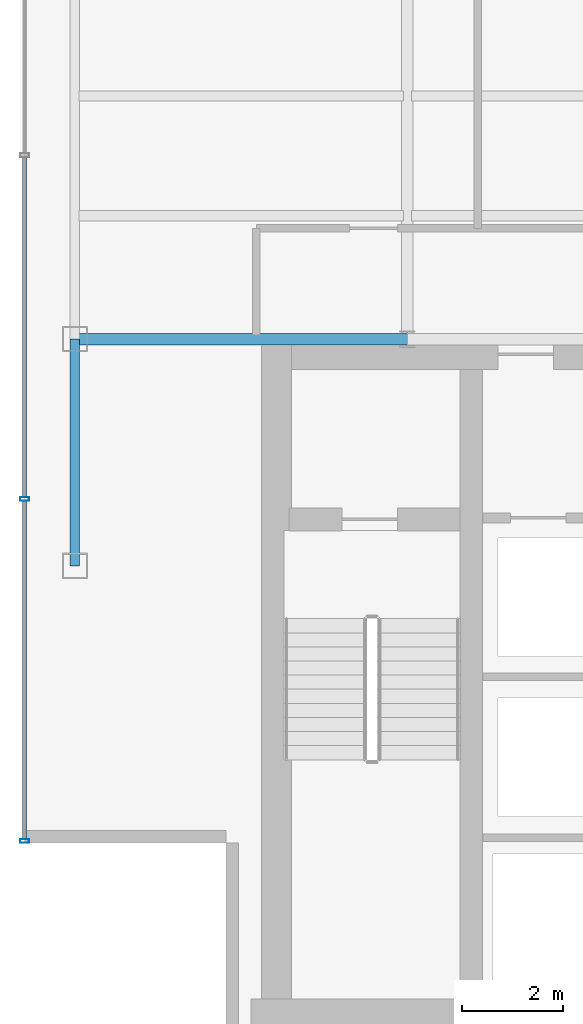
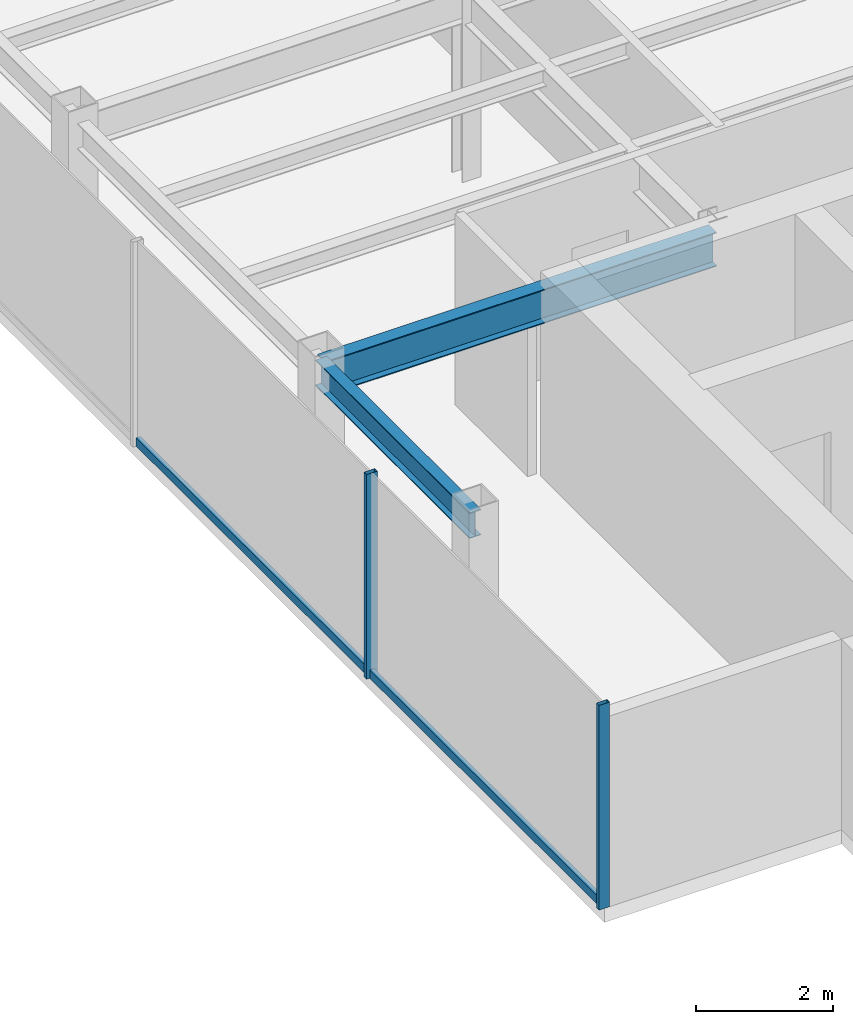
# One storey, part 3 of 22: 4 members, 2 beams, 1 element without a shape of its own.
"""IFC4 building model written with IfcOpenShell, lengths in metres."""

import ifcopenshell
import ifcopenshell.guid

model = None  # the IFC model being written
_history = None  # IfcOwnerHistory: only IFC2X3 demands one
_inside = {}  # id of a spatial element -> (the spatial element, [elements in it])
_under = {}  # id of a project, library or spatial element -> (it, [spatial elements below it])
_declared = {}  # id of a project -> (the project, [libraries it declares])
_typed = {}  # id of a type object -> (the type object, [elements of that type])
_made_of = {}  # id of a material, layer set ... -> (it, [elements and type objects made of it])


def new_model(schema):
    """Start an empty IFC model of exactly this schema.

    Asked for "IFC4X3", IfcOpenShell would pick the latest addendum, in which some entities
    have other attributes; the version numbers below select the first issue.
    IFC2X3 requires an IfcOwnerHistory on every rooted entity: one is made here for all.
    """
    global model, _history
    if schema == "IFC4X3":
        model = ifcopenshell.file(schema_version=(4, 3, 0, 0))
    else:
        model = ifcopenshell.file(schema=schema)
    _inside.clear()
    _under.clear()
    _declared.clear()
    _typed.clear()
    _made_of.clear()
    _history = None
    if model.schema == "IFC2X3":
        org = make("IfcOrganization", Name="unknown")
        user = make(
            "IfcPersonAndOrganization",
            ThePerson=make("IfcPerson", FamilyName="unknown"),
            TheOrganization=org,
        )
        app = make(
            "IfcApplication",
            ApplicationDeveloper=org,
            Version="unknown",
            ApplicationFullName="unknown",
            ApplicationIdentifier="unknown",
        )
        _history = make(
            "IfcOwnerHistory",
            OwningUser=user,
            OwningApplication=app,
            ChangeAction="ADDED",
            CreationDate=0,
        )
    return model


def make(cls, **values):
    """One entity of the class cls with the attributes given. An attribute that is None is left unset."""
    return model.create_entity(
        cls, **{name: value for name, value in values.items() if value is not None}
    )


def rooted(cls, **values):
    """An entity with a GlobalId (a new one), such as an element, a storey or a relation."""
    return make(cls, GlobalId=ifcopenshell.guid.new(), OwnerHistory=_history, **values)


def si_unit(unit_type, name, prefix=None):
    """IfcSIUnit, for example si_unit("LENGTHUNIT", "METRE", prefix="MILLI")."""
    return make("IfcSIUnit", UnitType=unit_type, Prefix=prefix, Name=name)


def derived_unit(unit_type, elements):
    """IfcDerivedUnit: a product of units, each with its exponent."""
    return make(
        "IfcDerivedUnit",
        Elements=[
            make("IfcDerivedUnitElement", Unit=unit, Exponent=power)
            for unit, power in elements
        ],
        UnitType=unit_type,
    )


def assignment(units):
    """IfcUnitAssignment: the units of a project."""
    return None if units is None else make("IfcUnitAssignment", Units=units)


def point(xyz):
    """IfcCartesianPoint."""
    return None if xyz is None else make("IfcCartesianPoint", Coordinates=xyz)


def direction(xyz):
    """IfcDirection."""
    return None if xyz is None else make("IfcDirection", DirectionRatios=xyz)


def frame(location, z_axis=None, x_axis=None):
    """IfcAxis2Placement3D, a coordinate frame: its origin and axes. An axis left out is left unset."""
    return make(
        "IfcAxis2Placement3D",
        Location=point(location),
        Axis=direction(z_axis),
        RefDirection=direction(x_axis),
    )


def frame_2d(location, x_axis=None):
    """IfcAxis2Placement2D, a coordinate frame in the plane: its origin and x axis."""
    return make(
        "IfcAxis2Placement2D", Location=point(location), RefDirection=direction(x_axis)
    )


def origin():
    """The frame at (0, 0, 0) with its axes left unset."""
    return frame((0.0, 0.0, 0.0))


def origin_2d():
    """The frame at (0, 0) in the plane with its x axis left unset."""
    return frame_2d((0.0, 0.0))


def place(relative_to, where):
    """IfcLocalPlacement: puts the frame where relative to a parent placement (None: the world)."""
    return make(
        "IfcLocalPlacement", PlacementRelTo=relative_to, RelativePlacement=where
    )


def context(
    kind, dimensions, precision=None, world=None, true_north=None, identifier=None
):
    """IfcGeometricRepresentationContext, for example the 3D "Model" context."""
    return make(
        "IfcGeometricRepresentationContext",
        ContextIdentifier=identifier,
        ContextType=kind,
        CoordinateSpaceDimension=dimensions,
        Precision=precision,
        WorldCoordinateSystem=world,
        TrueNorth=true_north,
    )


def subcontext(parent, identifier, kind, view, scale=None):
    """IfcGeometricRepresentationSubContext, for example "Body" below "Model"."""
    return make(
        "IfcGeometricRepresentationSubContext",
        ContextIdentifier=identifier,
        ContextType=kind,
        ParentContext=parent,
        TargetScale=scale,
        TargetView=view,
    )


def project(units=None, contexts=None):
    """IfcProject with its units and contexts."""
    return rooted(
        "IfcProject",
        Name="project",
        RepresentationContexts=contexts,
        UnitsInContext=assignment(units),
    )


def spatial(cls, under=None, at=None, **own):
    """A site, building, storey or space (cls), placed at a placement, below another one or the project."""
    s = rooted(cls, ObjectPlacement=at, **own)
    if under is not None:
        _under.setdefault(under.id(), (under, []))[1].append(s)
    return s


def profile(cls, at=None, kind="AREA", **sizes):
    """A parametric profile (cls). Its sizes go by their IFC names, for example OverallWidth=200.0."""
    return make(cls, ProfileType=kind, Position=at, **sizes)


def hollow_rectangle(**sizes):
    """IfcRectangleHollowProfileDef."""
    return profile("IfcRectangleHollowProfileDef", **sizes)


def i_section(**sizes):
    """IfcIShapeProfileDef."""
    return profile("IfcIShapeProfileDef", **sizes)


def extrude(swept, where, along, depth):
    """IfcExtrudedAreaSolid: the profile swept, set in the frame where, extruded along a direction by depth."""
    return make(
        "IfcExtrudedAreaSolid",
        SweptArea=swept,
        Position=where,
        ExtrudedDirection=direction(along),
        Depth=depth,
    )


def shape(context_of_items, identifier, shape_type, items):
    """IfcShapeRepresentation: the items that make up one representation, for example the "Body"."""
    return make(
        "IfcShapeRepresentation",
        ContextOfItems=context_of_items,
        RepresentationIdentifier=identifier,
        RepresentationType=shape_type,
        Items=items,
    )


def source(mapping_origin, context_of_items, identifier, shape_type, items):
    """IfcRepresentationMap: a shape defined once, which mapped items show again and again."""
    return make(
        "IfcRepresentationMap",
        MappingOrigin=mapping_origin,
        MappedRepresentation=shape(context_of_items, identifier, shape_type, items),
    )


def transform(
    local_origin,
    x_axis=None,
    y_axis=None,
    z_axis=None,
    scale=None,
    scale2=None,
    scale3=None,
    uniform=True,
):
    """IfcCartesianTransformationOperator3D, or its non-uniform kind. x_axis, y_axis, z_axis: its Axis1, 2, 3."""
    if uniform:
        return make(
            "IfcCartesianTransformationOperator3D",
            Axis1=direction(x_axis),
            Axis2=direction(y_axis),
            LocalOrigin=point(local_origin),
            Scale=scale,
            Axis3=direction(z_axis),
        )
    return make(
        "IfcCartesianTransformationOperator3DnonUniform",
        Axis1=direction(x_axis),
        Axis2=direction(y_axis),
        LocalOrigin=point(local_origin),
        Scale=scale,
        Axis3=direction(z_axis),
        Scale2=scale2,
        Scale3=scale3,
    )


def mapped(mapping_source, mapping_target):
    """IfcMappedItem: shows the shape of a source again, moved by a transform."""
    return make(
        "IfcMappedItem", MappingSource=mapping_source, MappingTarget=mapping_target
    )


def material(Name=None, Category=None):
    """IfcMaterial."""
    return make("IfcMaterial", Name=Name, Category=Category)


def material_profile(
    of_material, cross_section, Name=None, Category=None, Priority=None
):
    """IfcMaterialProfile: a cross section and its material."""
    return make(
        "IfcMaterialProfile",
        Name=Name,
        Material=of_material,
        Profile=cross_section,
        Priority=Priority,
        Category=Category,
    )


def profile_set(profiles, Name=None, composite=None):
    """IfcMaterialProfileSet."""
    return make(
        "IfcMaterialProfileSet",
        Name=Name,
        MaterialProfiles=profiles,
        CompositeProfile=composite,
    )


def made_of(thing, what):
    """Note that an element or type object is made of a material, layer set ...; save() writes the relation."""
    if what is not None:
        _made_of.setdefault(what.id(), (what, []))[1].append(thing)
    return thing


def type_object(cls, material=None, **own):
    """A type object (cls), such as IfcWallType, which elements share."""
    return made_of(rooted(cls, **own), material)


def element(
    cls,
    number,
    at=None,
    inside=None,
    cuts=None,
    type_object=None,
    material=None,
    context=None,
    identifier="Body",
    shape_type=None,
    held_by="IfcProductDefinitionShape",
    body=None,
    shapes=None,
    **own,
):
    """One element of the class cls, such as IfcWall. Its Tag is "e" and its number.

    at: its placement. inside: the storey or other place that contains it. cuts: it is an
    opening in that element (IfcRelVoidsElement). A single representation is given by context,
    identifier, shape_type and body (its items); several are given by shapes. held_by: the class
    of the entity that holds the representations. save() writes the other relations.
    """
    e = rooted(cls, Tag="e%d" % number, ObjectPlacement=at, **own)
    if body is not None:
        shapes = [shape(context, identifier, shape_type, body)]
    if shapes is not None:
        e.Representation = make(held_by, Representations=shapes)
    if inside is not None:
        _inside.setdefault(inside.id(), (inside, []))[1].append(e)
    if cuts is not None:
        rooted(
            "IfcRelVoidsElement", RelatingBuildingElement=cuts, RelatedOpeningElement=e
        )
    if type_object is not None:
        _typed.setdefault(type_object.id(), (type_object, []))[1].append(e)
    return made_of(e, material)


def aggregate(whole, parts):
    """IfcRelAggregates: a whole, such as a stair, and the parts it consists of."""
    return rooted("IfcRelAggregates", RelatingObject=whole, RelatedObjects=parts)


def save(model, path):
    """Write the relations noted so far, then the file.

    IfcRelAggregates (storeys below a building ...), IfcRelContainedInSpatialStructure (elements
    in a storey), IfcRelDefinesByType, IfcRelAssociatesMaterial and IfcRelDeclares: one each for
    every whole, place, type object, material and project.
    """
    for whole, parts in _under.values():
        aggregate(whole, parts)
    for where, things in _inside.values():
        rooted(
            "IfcRelContainedInSpatialStructure",
            RelatedElements=things,
            RelatingStructure=where,
        )
    for kind, things in _typed.values():
        rooted("IfcRelDefinesByType", RelatedObjects=things, RelatingType=kind)
    for what, things in _made_of.values():
        rooted("IfcRelAssociatesMaterial", RelatedObjects=things, RelatingMaterial=what)
    for by, libraries in _declared.values():
        rooted("IfcRelDeclares", RelatingContext=by, RelatedDefinitions=libraries)
    model.write(path)


model = new_model("IFC4")

# Units and contexts
model_context = context("Model", 3, precision=1e-05, world=origin(), true_north=direction((0.0, 1.0)))
body_context = subcontext(model_context, "Body", "Model", "MODEL_VIEW")
ifc_project = project(units=[si_unit("LENGTHUNIT", "METRE"), si_unit("AREAUNIT", "SQUARE_METRE"), si_unit("VOLUMEUNIT", "CUBIC_METRE"), si_unit("PLANEANGLEUNIT", "RADIAN"), si_unit("MASSUNIT", "GRAM", prefix="KILO"), derived_unit("THERMALTRANSMITTANCEUNIT", [(si_unit("POWERUNIT", "WATT"), 1), (si_unit("LENGTHUNIT", "METRE"), -2), (si_unit("THERMODYNAMICTEMPERATUREUNIT", "KELVIN"), -1)])], contexts=[model_context])

# Site, building, storey
site_placement = place(None, origin())
site = spatial("IfcSite", under=ifc_project, at=site_placement, CompositionType="ELEMENT")
building_placement = place(site_placement, origin())
building = spatial("IfcBuilding", under=site, at=building_placement, Name="Skarnbrae Concourse Arena and Tower", CompositionType="ELEMENT")
storey_placement = place(building_placement, frame((0.0, 0.0, 280.699951171875)))
storey = spatial("IfcBuildingStorey", under=building, at=storey_placement, Name="L73", CompositionType="ELEMENT", Elevation=280.699951171875)

# Beams
ifc_material_1 = material(Name="Steel CSA G40.21 350W", Category="steel")
ifc_material_profile_1 = material_profile(ifc_material_1, i_section(OverallWidth=0.22802734375, OverallDepth=0.60791015625, WebThickness=0.01123046875, FlangeThickness=0.017333984375, at=origin_2d()), Name="W610X113")
ifc_profile_set_1 = profile_set([ifc_material_profile_1], Name="Steel CSA G40.21 350W")
beam_type_1 = type_object("IfcBeamType", Name="BM-GIRD-W610X113", PredefinedType="BEAM", material=ifc_profile_set_1)
shared_shape_1 = source(origin(), body_context, "Body", "SweptSolid", [
    extrude(i_section(OverallWidth=0.22802734375, OverallDepth=0.60791015625, WebThickness=0.01123046875, FlangeThickness=0.017333984375, at=origin_2d()), origin(), (0.0, 0.0, 1.0), 6.60009765625),
])
beam_1_placement = place(storey_placement, frame((1.0, 14.0, 3.095947265625), z_axis=(1.0, 0.0, 0.0), x_axis=(0.0, 1.0, 0.0)))
element("IfcBeam", 1, at=beam_1_placement, inside=storey, type_object=beam_type_1, Name="L73 Primary E-W girder Y14.0-1", PredefinedType="BEAM", context=body_context, shape_type="MappedRepresentation", body=[
    mapped(shared_shape_1, transform((0.0, 0.0, 0.0))),
])
ifc_material_profile_2 = material_profile(ifc_material_1, i_section(OverallWidth=0.19091796875, OverallDepth=0.4599609375, WebThickness=0.010009765625, FlangeThickness=0.01611328125, at=origin_2d()), Name="W460X82")
ifc_profile_set_2 = profile_set([ifc_material_profile_2], Name="Steel CSA G40.21 350W")
beam_type_2 = type_object("IfcBeamType", Name="BM-SPAN-W460X82", PredefinedType="SPANDREL", material=ifc_profile_set_2)
shared_shape_2 = source(origin(), body_context, "Body", "SweptSolid", [
    extrude(i_section(OverallWidth=0.19091796875, OverallDepth=0.4599609375, WebThickness=0.010009765625, FlangeThickness=0.01611328125, at=origin_2d()), origin(), (0.0, 0.0, 1.0), 4.5),
])
beam_2_placement = place(storey_placement, frame((1.0, 9.5, 3.170166015625), z_axis=(0.0, 1.0, 0.0), x_axis=(-1.0, 0.0, 0.0)))
element("IfcBeam", 2, at=beam_2_placement, inside=storey, type_object=beam_type_2, Name="L73 Perimeter spandrel X1.0-1", PredefinedType="SPANDREL", context=body_context, shape_type="MappedRepresentation", body=[
    mapped(shared_shape_2, transform((0.0, 0.0, 0.0))),
])

# Curtain wall, members
ifc_material_2 = material(Name="Bronze anodised aluminium 6063-T6", Category="aluminium")
curtain_wall_type = type_object("IfcCurtainWallType", Name="CW-SYS-05-HIGHZONE", PredefinedType="USERDEFINED", material=ifc_material_2)
curtain_wall_placement = place(storey_placement, origin())
curtain_wall = element("IfcCurtainWall", 3, at=curtain_wall_placement, inside=storey, type_object=curtain_wall_type, Name="L73 Unitised curtain wall CW-L73-E18", ObjectType="UNITISED CURTAIN WALL", PredefinedType="USERDEFINED")
ifc_material_profile_3 = material_profile(ifc_material_2, hollow_rectangle(XDim=0.074951171875, YDim=0.14990234375, WallThickness=0.00390625, at=origin_2d()), Name="ALU-TRAN-75X150")
ifc_profile_set_3 = profile_set([ifc_material_profile_3], Name="Bronze anodised aluminium 6063-T6")
member_type_1 = type_object("IfcMemberType", Name="CWT-CW-05", PredefinedType="USERDEFINED", material=ifc_profile_set_3)
shared_shape_3 = source(origin(), body_context, "Body", "SweptSolid", [
    extrude(hollow_rectangle(XDim=0.074951171875, YDim=0.14990234375, WallThickness=0.00390625, at=origin_2d()), origin(), (0.0, 0.0, 1.0), 6.712646484375),
])
member_1_placement = place(storey_placement, frame((0.0, 10.78759765625, 0.074951171875), z_axis=(0.0, -1.0, 0.0), x_axis=(1.0, 0.0, 0.0)))
member_1 = element("IfcMember", 4, at=member_1_placement, type_object=member_type_1, Name="CW-L73-E18 Transom 4", ObjectType="TRANSOM", PredefinedType="USERDEFINED", context=body_context, shape_type="MappedRepresentation", body=[
    mapped(shared_shape_3, transform((0.0, 0.0, 0.0))),
])
shared_shape_4 = source(origin(), body_context, "Body", "SweptSolid", [
    extrude(hollow_rectangle(XDim=0.074951171875, YDim=0.14990234375, WallThickness=0.00390625, at=origin_2d()), origin(), (0.0, 0.0, 1.0), 6.75),
])
member_2_placement = place(storey_placement, frame((0.0, 17.612548828125, 0.074951171875), z_axis=(0.0, -1.0, 0.0), x_axis=(1.0, 0.0, 0.0)))
member_2 = element("IfcMember", 5, at=member_2_placement, type_object=member_type_1, Name="CW-L73-E18 Transom 3", ObjectType="TRANSOM", PredefinedType="USERDEFINED", context=body_context, shape_type="MappedRepresentation", body=[
    mapped(shared_shape_4, transform((0.0, 0.0, 0.0))),
])
ifc_material_profile_4 = material_profile(ifc_material_2, hollow_rectangle(XDim=0.074951171875, YDim=0.179931640625, WallThickness=0.00390625, at=origin_2d()), Name="ALU-MULL-75X180")
ifc_profile_set_4 = profile_set([ifc_material_profile_4], Name="Bronze anodised aluminium 6063-T6")
member_type_2 = type_object("IfcMemberType", Name="CWM-CW-05", PredefinedType="MULLION", material=ifc_profile_set_4)
shared_shape_5 = source(origin(), body_context, "Body", "SweptSolid", [
    extrude(hollow_rectangle(XDim=0.074951171875, YDim=0.179931640625, WallThickness=0.00390625, at=origin_2d()), origin(), (0.0, 0.0, 1.0), 3.650146484375),
])
member_3_placement = place(storey_placement, frame((0.0, 10.824951171875, 0.0), z_axis=(0.0, 0.0, 1.0), x_axis=(0.0, -1.0, 0.0)))
member_3 = element("IfcMember", 6, at=member_3_placement, type_object=member_type_2, Name="CW-L73-E18 Mullion 4", PredefinedType="MULLION", context=body_context, shape_type="MappedRepresentation", body=[
    mapped(shared_shape_5, transform((0.0, 0.0, 0.0))),
])
member_4_placement = place(storey_placement, frame((0.0, 4.03759765625, 0.0), z_axis=(0.0, 0.0, 1.0), x_axis=(0.0, -1.0, 0.0)))
member_4 = element("IfcMember", 7, at=member_4_placement, type_object=member_type_2, Name="CW-L73-E18 Mullion 5", PredefinedType="MULLION", context=body_context, shape_type="MappedRepresentation", body=[
    mapped(shared_shape_5, transform((0.0, 0.0, 0.0))),
])
aggregate(curtain_wall, [member_3, member_4, member_2, member_1])

save(model, "model.ifc")
